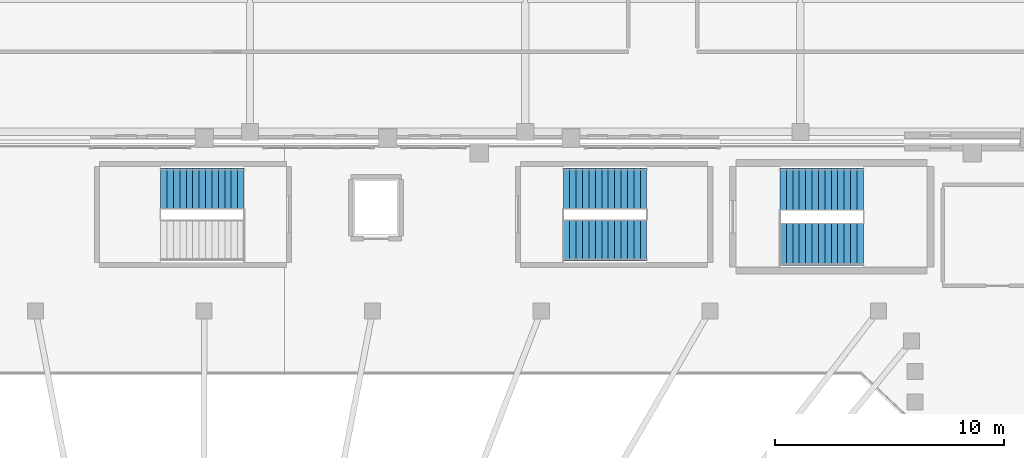
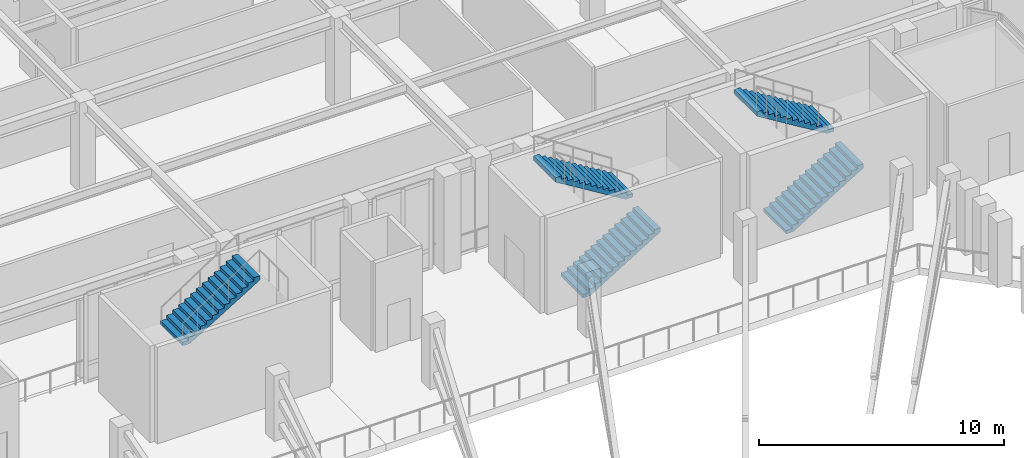
# One storey, part 69 of 79: 5 stair flights, 3 elements without a shape of their own.
"""IFC4 building model written with IfcOpenShell, lengths in metres."""

from ifc_helpers import new_model, si_unit, derived_unit, direction, frame, origin, place, context, subcontext, project, spatial, polyline, outline, extrude, material, type_object, element, aggregate, save


model = new_model("IFC4")

# Units and contexts
model_context = context("Model", 3, precision=1e-05, world=origin(), true_north=direction((0.0, 1.0)))
body_context = subcontext(model_context, "Body", "Model", "MODEL_VIEW")
ifc_project = project(units=[si_unit("LENGTHUNIT", "METRE"), si_unit("AREAUNIT", "SQUARE_METRE"), si_unit("VOLUMEUNIT", "CUBIC_METRE"), si_unit("PLANEANGLEUNIT", "RADIAN"), si_unit("MASSUNIT", "GRAM", prefix="KILO"), derived_unit("THERMALTRANSMITTANCEUNIT", [(si_unit("MASSUNIT", "GRAM", prefix="KILO"), 1), (si_unit("TIMEUNIT", "SECOND"), -3), (si_unit("THERMODYNAMICTEMPERATUREUNIT", "KELVIN"), -1)])], contexts=[model_context])

# Site, building, storey
site_placement = place(None, origin())
site = spatial("IfcSite", under=ifc_project, at=site_placement, CompositionType="ELEMENT")
building_placement = place(site_placement, origin())
building = spatial("IfcBuilding", under=site, at=building_placement, Name="Valcora Ridge Arena", CompositionType="ELEMENT")
storey_placement = place(building_placement, frame((0.0, 0.0, 16.199951171875)))
storey = spatial("IfcBuildingStorey", under=building, at=storey_placement, Name="L03", CompositionType="ELEMENT", Elevation=16.199951171875)

# Stair, stair flight
ifc_material = material(Name="Concrete C40/50", Category="concrete")
stair_type_1 = type_object("IfcStairType", Name="TY-STAIR-ES03-48", PredefinedType="HALF_TURN_STAIR", material=ifc_material)
stair_1_placement = place(storey_placement, origin())
stair_1 = element("IfcStair", 1, at=stair_1_placement, inside=storey, type_object=stair_type_1, Name="ES03-48 STR-ES-0012", PredefinedType="HALF_TURN_STAIR")
stair_flight_type_1 = type_object("IfcStairFlightType", Name="TY-FLIGHT-ES03-48", PredefinedType="STRAIGHT", material=ifc_material)
stair_flight_1_placement = place(storey_placement, frame((56.10009765625, 106.219970703125, 2.400146484375), z_axis=(0.0, 0.0, 1.0), x_axis=(1.0, 0.0, 0.0)))
stair_flight_1 = element("IfcStairFlight", 2, at=stair_flight_1_placement, type_object=stair_flight_type_1, Name="ES03-48 flight 2", NumberOfRisers=14, NumberOfTreads=13, PredefinedType="STRAIGHT", RiserHeight=0.171429, TreadLength=0.28, context=body_context, shape_type="SweptSolid", body=[
    extrude(outline(polyline([(0.0, 0.0), (0.0, 0.17138671875), (0.280029296875, 0.17138671875), (0.280029296875, 0.3427734375), (0.56005859375, 0.3427734375), (0.56005859375, 0.514404296875), (0.840087890625, 0.514404296875), (0.840087890625, 0.685791015625), (1.1201171875, 0.685791015625), (1.1201171875, 0.857177734375), (1.39990234375, 0.857177734375), (1.39990234375, 1.028564453125), (1.679931640625, 1.028564453125), (1.679931640625, 1.199951171875), (1.9599609375, 1.199951171875), (1.9599609375, 1.371337890625), (2.239990234375, 1.371337890625), (2.239990234375, 1.54296875), (2.52001953125, 1.54296875), (2.52001953125, 1.71435546875), (2.800048828125, 1.71435546875), (2.800048828125, 1.8857421875), (3.080078125, 1.8857421875), (3.080078125, 2.05712890625), (3.360107421875, 2.05712890625), (3.360107421875, 2.228515625), (3.639892578125, 2.228515625), (3.639892578125, 2.39990234375), (3.639892578125, 2.017578125), (0.344482421875, 0.0), (0.0, 0.0)])), frame((0.0, 0.89990234375, 0.0), z_axis=(0.0, -1.0, 0.0), x_axis=(1.0, 0.0, 0.0)), (0.0, 0.0, 1.0), 1.800048828125),
])
aggregate(stair_1, [stair_flight_1])

# Stair, stair flights
stair_type_2 = type_object("IfcStairType", Name="TY-STAIR-ES04-48", PredefinedType="HALF_TURN_STAIR", material=ifc_material)
stair_2_placement = place(storey_placement, origin())
stair_2 = element("IfcStair", 3, at=stair_2_placement, inside=storey, type_object=stair_type_2, Name="ES04-48 STR-ES-0016", PredefinedType="HALF_TURN_STAIR")
stair_flight_type_2 = type_object("IfcStairFlightType", Name="TY-FLIGHT-ES04-48", PredefinedType="STRAIGHT", material=ifc_material)
stair_flight_2_placement = place(storey_placement, frame((73.659912109375, 103.97998046875, 0.0), z_axis=(0.0, 0.0, 1.0), x_axis=(1.0, 0.0, 0.0)))
stair_flight_2 = element("IfcStairFlight", 4, at=stair_flight_2_placement, type_object=stair_flight_type_2, Name="ES04-48 flight 1", NumberOfRisers=14, NumberOfTreads=13, PredefinedType="STRAIGHT", RiserHeight=0.171429, TreadLength=0.28, context=body_context, shape_type="SweptSolid", body=[
    extrude(outline(polyline([(0.0, 0.0), (0.0, 0.17138671875), (0.280029296875, 0.17138671875), (0.280029296875, 0.3427734375), (0.56005859375, 0.3427734375), (0.56005859375, 0.514404296875), (0.840087890625, 0.514404296875), (0.840087890625, 0.685791015625), (1.1201171875, 0.685791015625), (1.1201171875, 0.857177734375), (1.39990234375, 0.857177734375), (1.39990234375, 1.028564453125), (1.679931640625, 1.028564453125), (1.679931640625, 1.199951171875), (1.9599609375, 1.199951171875), (1.9599609375, 1.371337890625), (2.239990234375, 1.371337890625), (2.239990234375, 1.54296875), (2.52001953125, 1.54296875), (2.52001953125, 1.71435546875), (2.800048828125, 1.71435546875), (2.800048828125, 1.8857421875), (3.080078125, 1.8857421875), (3.080078125, 2.05712890625), (3.360107421875, 2.05712890625), (3.360107421875, 2.228515625), (3.639892578125, 2.228515625), (3.639892578125, 2.39990234375), (3.639892578125, 2.017578125), (0.344482421875, 0.0), (0.0, 0.0)])), frame((0.0, 0.89990234375, 0.0), z_axis=(0.0, -1.0, 0.0), x_axis=(1.0, 0.0, 0.0)), (0.0, 0.0, 1.0), 1.800048828125),
])
stair_flight_3_placement = place(storey_placement, frame((77.300048828125, 106.219970703125, 2.400146484375), z_axis=(0.0, 0.0, 1.0), x_axis=(-1.0, 0.0, 0.0)))
stair_flight_3 = element("IfcStairFlight", 5, at=stair_flight_3_placement, type_object=stair_flight_type_2, Name="ES04-48 flight 2", NumberOfRisers=14, NumberOfTreads=13, PredefinedType="STRAIGHT", RiserHeight=0.171429, TreadLength=0.28, context=body_context, shape_type="SweptSolid", body=[
    extrude(outline(polyline([(0.0, 0.0), (0.0, 0.17138671875), (0.280029296875, 0.17138671875), (0.280029296875, 0.3427734375), (0.56005859375, 0.3427734375), (0.56005859375, 0.514404296875), (0.840087890625, 0.514404296875), (0.840087890625, 0.685791015625), (1.1201171875, 0.685791015625), (1.1201171875, 0.857177734375), (1.39990234375, 0.857177734375), (1.39990234375, 1.028564453125), (1.679931640625, 1.028564453125), (1.679931640625, 1.199951171875), (1.9599609375, 1.199951171875), (1.9599609375, 1.371337890625), (2.239990234375, 1.371337890625), (2.239990234375, 1.54296875), (2.52001953125, 1.54296875), (2.52001953125, 1.71435546875), (2.800048828125, 1.71435546875), (2.800048828125, 1.8857421875), (3.080078125, 1.8857421875), (3.080078125, 2.05712890625), (3.360107421875, 2.05712890625), (3.360107421875, 2.228515625), (3.639892578125, 2.228515625), (3.639892578125, 2.39990234375), (3.639892578125, 2.017578125), (0.344482421875, 0.0), (0.0, 0.0)])), frame((0.0, 0.89990234375, 0.0), z_axis=(0.0, -1.0, 0.0), x_axis=(1.0, 0.0, 0.0)), (0.0, 0.0, 1.0), 1.800048828125),
])
aggregate(stair_2, [stair_flight_2, stair_flight_3])

stair_type_3 = type_object("IfcStairType", Name="TY-STAIR-ST04-48", PredefinedType="HALF_TURN_STAIR", material=ifc_material)
stair_3_placement = place(storey_placement, origin())
stair_3 = element("IfcStair", 6, at=stair_3_placement, inside=storey, type_object=stair_type_3, Name="ST04-48 STR-CR-0022", PredefinedType="HALF_TURN_STAIR")
stair_flight_type_3 = type_object("IfcStairFlightType", Name="TY-FLIGHT-ST04-48", PredefinedType="STRAIGHT", material=ifc_material)
stair_flight_4_placement = place(storey_placement, frame((83.110107421875, 103.804931640625, 0.0), z_axis=(0.0, 0.0, 1.0), x_axis=(1.0, 0.0, 0.0)))
stair_flight_4 = element("IfcStairFlight", 7, at=stair_flight_4_placement, type_object=stair_flight_type_3, Name="ST04-48 flight 1", NumberOfRisers=14, NumberOfTreads=13, PredefinedType="STRAIGHT", RiserHeight=0.171429, TreadLength=0.28, context=body_context, shape_type="SweptSolid", body=[
    extrude(outline(polyline([(0.0, 0.0), (0.0, 0.17138671875), (0.280029296875, 0.17138671875), (0.280029296875, 0.3427734375), (0.56005859375, 0.3427734375), (0.56005859375, 0.514404296875), (0.840087890625, 0.514404296875), (0.840087890625, 0.685791015625), (1.1201171875, 0.685791015625), (1.1201171875, 0.857177734375), (1.39990234375, 0.857177734375), (1.39990234375, 1.028564453125), (1.679931640625, 1.028564453125), (1.679931640625, 1.199951171875), (1.9599609375, 1.199951171875), (1.9599609375, 1.371337890625), (2.239990234375, 1.371337890625), (2.239990234375, 1.54296875), (2.52001953125, 1.54296875), (2.52001953125, 1.71435546875), (2.800048828125, 1.71435546875), (2.800048828125, 1.8857421875), (3.080078125, 1.8857421875), (3.080078125, 2.05712890625), (3.360107421875, 2.05712890625), (3.360107421875, 2.228515625), (3.639892578125, 2.228515625), (3.639892578125, 2.39990234375), (3.639892578125, 2.017578125), (0.344482421875, 0.0), (0.0, 0.0)])), frame((0.0, 0.925048828125, 0.0), z_axis=(0.0, -1.0, 0.0), x_axis=(1.0, 0.0, 0.0)), (0.0, 0.0, 1.0), 1.85009765625),
])
stair_flight_5_placement = place(storey_placement, frame((86.75, 106.195068359375, 2.400146484375), z_axis=(0.0, 0.0, 1.0), x_axis=(-1.0, 0.0, 0.0)))
stair_flight_5 = element("IfcStairFlight", 8, at=stair_flight_5_placement, type_object=stair_flight_type_3, Name="ST04-48 flight 2", NumberOfRisers=14, NumberOfTreads=13, PredefinedType="STRAIGHT", RiserHeight=0.171429, TreadLength=0.28, context=body_context, shape_type="SweptSolid", body=[
    extrude(outline(polyline([(0.0, 0.0), (0.0, 0.17138671875), (0.280029296875, 0.17138671875), (0.280029296875, 0.3427734375), (0.56005859375, 0.3427734375), (0.56005859375, 0.514404296875), (0.840087890625, 0.514404296875), (0.840087890625, 0.685791015625), (1.1201171875, 0.685791015625), (1.1201171875, 0.857177734375), (1.39990234375, 0.857177734375), (1.39990234375, 1.028564453125), (1.679931640625, 1.028564453125), (1.679931640625, 1.199951171875), (1.9599609375, 1.199951171875), (1.9599609375, 1.371337890625), (2.239990234375, 1.371337890625), (2.239990234375, 1.54296875), (2.52001953125, 1.54296875), (2.52001953125, 1.71435546875), (2.800048828125, 1.71435546875), (2.800048828125, 1.8857421875), (3.080078125, 1.8857421875), (3.080078125, 2.05712890625), (3.360107421875, 2.05712890625), (3.360107421875, 2.228515625), (3.639892578125, 2.228515625), (3.639892578125, 2.39990234375), (3.639892578125, 2.017578125), (0.344482421875, 0.0), (0.0, 0.0)])), frame((0.0, 0.925048828125, 0.0), z_axis=(0.0, -1.0, 0.0), x_axis=(1.0, 0.0, 0.0)), (0.0, 0.0, 1.0), 1.85009765625),
])
aggregate(stair_3, [stair_flight_4, stair_flight_5])

save(model, "model.ifc")
